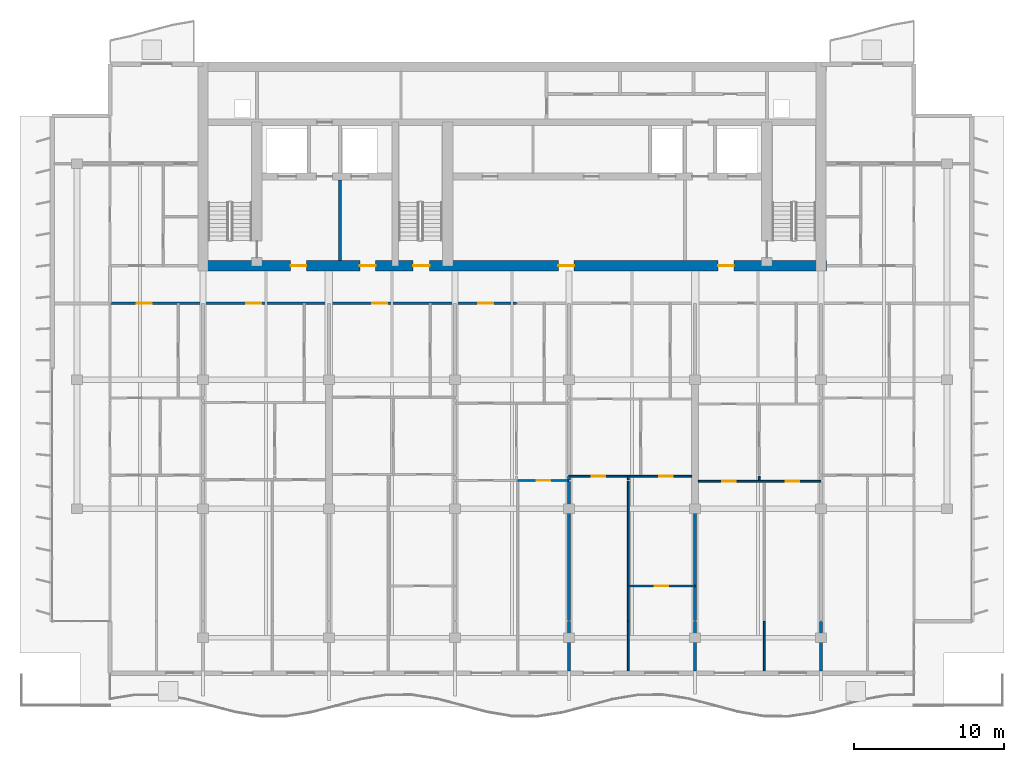
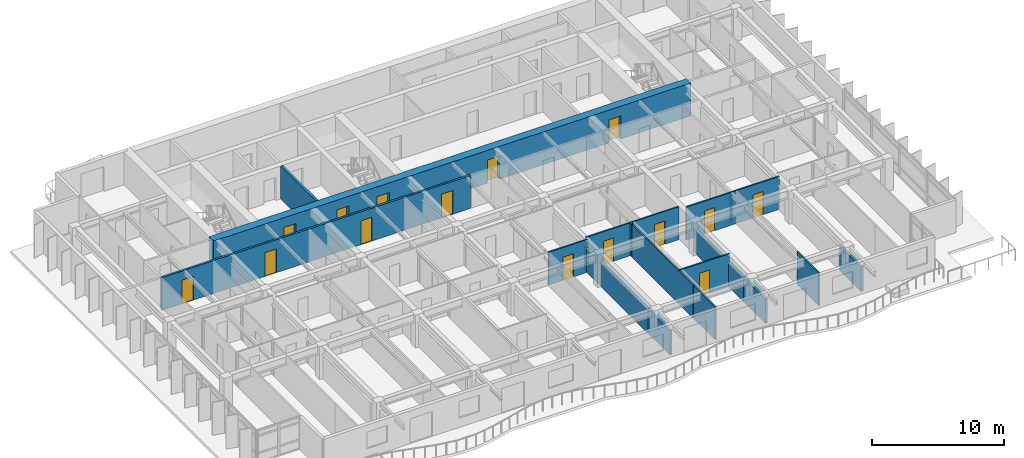
# One storey, part 8 of 17: 18 walls, 15 doors, 15 openings.
"""IFC4 building model written with IfcOpenShell, lengths in metres."""

from ifc_helpers import new_model, si_unit, direction, frame, frame_2d, origin, place, context, subcontext, project, spatial, rectangle, extrude, material, layer, layer_set, type_object, element, fill, save


model = new_model("IFC4")

# Units and contexts
model_context = context("Model", 3, precision=1e-05, world=origin(), true_north=direction((0.0, 1.0)))
body_context = subcontext(model_context, "Body", "Model", "MODEL_VIEW")
ifc_project = project(units=[si_unit("LENGTHUNIT", "METRE"), si_unit("AREAUNIT", "SQUARE_METRE"), si_unit("VOLUMEUNIT", "CUBIC_METRE"), si_unit("PLANEANGLEUNIT", "RADIAN"), si_unit("MASSUNIT", "GRAM", prefix="KILO")], contexts=[model_context])

# Site, building, storey
site_placement = place(None, origin())
site = spatial("IfcSite", under=ifc_project, at=site_placement, CompositionType="ELEMENT")
building_placement = place(site_placement, origin())
building = spatial("IfcBuilding", under=site, at=building_placement, Name="Caelmar Bay Residences", CompositionType="ELEMENT")
storey_placement = place(building_placement, frame((0.0, 0.0, 226.5)))
storey = spatial("IfcBuildingStorey", under=building, at=storey_placement, Name="L63", CompositionType="ELEMENT", Elevation=226.5)

# Wall, openings, doors
ifc_material_1 = material(Name="Concrete f'c 55 MPa (8,000 psi)", Category="concrete")
ifc_layer_1 = layer(ifc_material_1, 0.699951171875)
ifc_layer_set_1 = layer_set([ifc_layer_1], Name="Concrete f'c 55 MPa (8,000 psi)")
wall_type_1 = type_object("IfcWallType", Name="SW-COR-700", PredefinedType="SHEAR", material=ifc_layer_set_1)
wall_1_placement = place(storey_placement, frame((17.949951171875, 37.0, 0.0), z_axis=(0.0, 0.0, 1.0), x_axis=(1.0, 0.0, 0.0)))
wall_1 = element("IfcWall", 1, at=wall_1_placement, inside=storey, type_object=wall_type_1, Name="L63 Rear Core South Shear Wall", PredefinedType="SHEAR", context=body_context, shape_type="SweptSolid", body=[
    extrude(rectangle(XDim=41.900146484375, YDim=0.699951171875, at=frame_2d((20.9501953125, 0.0))), origin(), (0.0, 0.0, 1.0), 3.050048828125),
])
opening_1_placement = place(wall_1_placement, frame((14.35009765625, 0.0, 0.0)))
opening_1 = element("IfcOpeningElement", 2, at=opening_1_placement, cuts=wall_1, Name="Opening D-L63-105", PredefinedType="OPENING", context=body_context, shape_type="SweptSolid", body=[
    extrude(rectangle(XDim=1.10009765625, YDim=2.14990234375, at=frame_2d((0.550048828125, 1.074951171875))), frame((0.0, 0.35986328125, 0.0), z_axis=(0.0, -1.0, 0.0), x_axis=(1.0, 0.0, 0.0)), (0.0, 0.0, 1.0), 0.719970703125),
])
opening_2_placement = place(wall_1_placement, frame((6.199951171875, 0.0, 0.0)))
opening_2 = element("IfcOpeningElement", 3, at=opening_2_placement, cuts=wall_1, Name="Opening D-L63-106", PredefinedType="OPENING", context=body_context, shape_type="SweptSolid", body=[
    extrude(rectangle(XDim=1.050048828125, YDim=2.14990234375, at=frame_2d((0.52490234375, 1.074951171875))), frame((0.0, 0.35986328125, 0.0), z_axis=(0.0, -1.0, 0.0), x_axis=(1.0, 0.0, 0.0)), (0.0, 0.0, 1.0), 0.719970703125),
])
opening_3_placement = place(wall_1_placement, frame((34.699951171875, 0.0, 0.0)))
opening_3 = element("IfcOpeningElement", 4, at=opening_3_placement, cuts=wall_1, Name="Opening D-L63-109", PredefinedType="OPENING", context=body_context, shape_type="SweptSolid", body=[
    extrude(rectangle(XDim=1.050048828125, YDim=2.14990234375, at=frame_2d((0.52490234375, 1.074951171875))), frame((0.0, 0.35986328125, 0.0), z_axis=(0.0, -1.0, 0.0), x_axis=(1.0, 0.0, 0.0)), (0.0, 0.0, 1.0), 0.719970703125),
])
opening_4_placement = place(wall_1_placement, frame((10.8125, 0.0, 0.0)))
opening_4 = element("IfcOpeningElement", 5, at=opening_4_placement, cuts=wall_1, Name="Opening D-L63-112", PredefinedType="OPENING", context=body_context, shape_type="SweptSolid", body=[
    extrude(rectangle(XDim=1.050048828125, YDim=2.14990234375, at=frame_2d((0.52490234375, 1.074951171875))), frame((0.0, 0.35986328125, 0.0), z_axis=(0.0, -1.0, 0.0), x_axis=(1.0, 0.0, 0.0)), (0.0, 0.0, 1.0), 0.719970703125),
])
opening_5_placement = place(wall_1_placement, frame((24.050048828125, 0.0, 0.0)))
opening_5 = element("IfcOpeningElement", 6, at=opening_5_placement, cuts=wall_1, Name="Opening D-L63-113", PredefinedType="OPENING", context=body_context, shape_type="SweptSolid", body=[
    extrude(rectangle(XDim=1.050048828125, YDim=2.14990234375, at=frame_2d((0.52490234375, 1.074951171875))), frame((0.0, 0.35986328125, 0.0), z_axis=(0.0, -1.0, 0.0), x_axis=(1.0, 0.0, 0.0)), (0.0, 0.0, 1.0), 0.719970703125),
])
ifc_material_2 = material(Name="Fire-rated steel and walnut architectural door assembly", Category="steel")
ifc_layer_2 = layer(ifc_material_2, 0.050048828125)
ifc_layer_set_2 = layer_set([ifc_layer_2], Name="Fire-rated steel and walnut architectural door assembly")
door_type_1 = type_object("IfcDoorType", Name="D-FSAE-1050", OperationType="NOTDEFINED", PredefinedType="DOOR", material=ifc_layer_set_2)
door_1_placement = place(opening_2_placement, origin())
door_1 = element("IfcDoor", 7, at=door_1_placement, inside=storey, type_object=door_type_1, Name="L63 Firefighting Lobby West Door", OperationType="SINGLE_SWING_LEFT", OverallHeight=2.14990234375, OverallWidth=1.050048828125, PredefinedType="DOOR", context=body_context, shape_type="SweptSolid", body=[
    extrude(rectangle(XDim=1.050048828125, YDim=2.14990234375, at=frame_2d((0.52490234375, 1.074951171875))), frame((0.0, 0.02490234375, 0.0), z_axis=(0.0, -1.0, 0.0), x_axis=(1.0, 0.0, 0.0)), (0.0, 0.0, 1.0), 0.050048828125),
])
fill(opening_2, door_1)
door_2_placement = place(opening_3_placement, origin())
door_2 = element("IfcDoor", 8, at=door_2_placement, inside=storey, type_object=door_type_1, Name="L63 Firefighting Lobby East Door", OperationType="SINGLE_SWING_RIGHT", OverallHeight=2.14990234375, OverallWidth=1.050048828125, PredefinedType="DOOR", context=body_context, shape_type="SweptSolid", body=[
    extrude(rectangle(XDim=1.050048828125, YDim=2.14990234375, at=frame_2d((0.52490234375, 1.074951171875))), frame((0.0, 0.02490234375, 0.0), z_axis=(0.0, -1.0, 0.0), x_axis=(1.0, 0.0, 0.0)), (0.0, 0.0, 1.0), 0.050048828125),
])
fill(opening_3, door_2)
door_3_placement = place(opening_4_placement, origin())
door_3 = element("IfcDoor", 9, at=door_3_placement, inside=storey, type_object=door_type_1, Name="L63 West Lift Lobby Door", OperationType="SINGLE_SWING_LEFT", OverallHeight=2.14990234375, OverallWidth=1.050048828125, PredefinedType="DOOR", context=body_context, shape_type="SweptSolid", body=[
    extrude(rectangle(XDim=1.050048828125, YDim=2.14990234375, at=frame_2d((0.52490234375, 1.074951171875))), frame((0.0, 0.02490234375, 0.0), z_axis=(0.0, -1.0, 0.0), x_axis=(1.0, 0.0, 0.0)), (0.0, 0.0, 1.0), 0.050048828125),
])
fill(opening_4, door_3)
door_4_placement = place(opening_5_placement, origin())
door_4 = element("IfcDoor", 10, at=door_4_placement, inside=storey, type_object=door_type_1, Name="L63 Passenger Lift Lobby Door", OperationType="SINGLE_SWING_RIGHT", OverallHeight=2.14990234375, OverallWidth=1.050048828125, PredefinedType="DOOR", context=body_context, shape_type="SweptSolid", body=[
    extrude(rectangle(XDim=1.050048828125, YDim=2.14990234375, at=frame_2d((0.52490234375, 1.074951171875))), frame((0.0, 0.02490234375, 0.0), z_axis=(0.0, -1.0, 0.0), x_axis=(1.0, 0.0, 0.0)), (0.0, 0.0, 1.0), 0.050048828125),
])
fill(opening_5, door_4)
ifc_layer_3 = layer(ifc_material_2, 0.050048828125)
ifc_layer_set_3 = layer_set([ifc_layer_3], Name="Fire-rated steel and walnut architectural door assembly")
door_type_2 = type_object("IfcDoorType", Name="D-STAIR-1100", OperationType="NOTDEFINED", PredefinedType="DOOR", material=ifc_layer_set_3)
door_5_placement = place(opening_1_placement, origin())
door_5 = element("IfcDoor", 11, at=door_5_placement, inside=storey, type_object=door_type_2, Name="L63 Exit Stair ST3 Door", OperationType="SINGLE_SWING_RIGHT", OverallHeight=2.14990234375, OverallWidth=1.10009765625, PredefinedType="DOOR", context=body_context, shape_type="SweptSolid", body=[
    extrude(rectangle(XDim=1.10009765625, YDim=2.14990234375, at=frame_2d((0.550048828125, 1.074951171875))), frame((0.0, 0.02490234375, 0.0), z_axis=(0.0, -1.0, 0.0), x_axis=(1.0, 0.0, 0.0)), (0.0, 0.0, 1.0), 0.050048828125),
])
fill(opening_1, door_5)

ifc_material_3 = material(Name="Double-stud acoustic fire-rated gypsum partition 180 mm")
ifc_layer_4 = layer(ifc_material_3, 0.179931640625)
ifc_layer_set_4 = layer_set([ifc_layer_4], Name="Double-stud acoustic fire-rated gypsum partition 180 mm")
wall_type_2 = type_object("IfcWallType", Name="W-COR-200", PredefinedType="PARTITIONING", material=ifc_layer_set_4)
wall_2_placement = place(storey_placement, frame((12.10498046875, 34.5, 0.0), z_axis=(0.0, 0.0, 1.0), x_axis=(1.0, 0.0, 0.0)))
wall_2 = element("IfcWall", 12, at=wall_2_placement, inside=storey, type_object=wall_type_2, Name="L63 Partition Wall H120", PredefinedType="PARTITIONING", context=body_context, shape_type="SweptSolid", body=[
    extrude(rectangle(XDim=27.09912109375, YDim=0.179931640625, at=frame_2d((13.549560546875, 0.0))), origin(), (0.0, 0.0, 1.0), 3.050048828125),
])
opening_6_placement = place(wall_2_placement, frame((1.7724609375, 0.0, 0.0)))
opening_6 = element("IfcOpeningElement", 13, at=opening_6_placement, cuts=wall_2, Name="Opening D-L63-122", PredefinedType="OPENING", context=body_context, shape_type="SweptSolid", body=[
    extrude(rectangle(XDim=1.0, YDim=2.199951171875, at=frame_2d((0.5, 1.10009765625))), frame((0.0, 0.099853515625, 0.0), z_axis=(0.0, -1.0, 0.0), x_axis=(1.0, 0.0, 0.0)), (0.0, 0.0, 1.0), 0.199951171875),
])
opening_7_placement = place(wall_2_placement, frame((9.070068359375, 0.0, 0.0)))
opening_7 = element("IfcOpeningElement", 14, at=opening_7_placement, cuts=wall_2, Name="Opening D-L63-128", PredefinedType="OPENING", context=body_context, shape_type="SweptSolid", body=[
    extrude(rectangle(XDim=1.0, YDim=2.199951171875, at=frame_2d((0.5, 1.10009765625))), frame((0.0, 0.099853515625, 0.0), z_axis=(0.0, -1.0, 0.0), x_axis=(1.0, 0.0, 0.0)), (0.0, 0.0, 1.0), 0.199951171875),
])
opening_8_placement = place(wall_2_placement, frame((17.469970703125, 0.0, 0.0)))
opening_8 = element("IfcOpeningElement", 15, at=opening_8_placement, cuts=wall_2, Name="Opening D-L63-134", PredefinedType="OPENING", context=body_context, shape_type="SweptSolid", body=[
    extrude(rectangle(XDim=1.0, YDim=2.199951171875, at=frame_2d((0.5, 1.10009765625))), frame((0.0, 0.099853515625, 0.0), z_axis=(0.0, -1.0, 0.0), x_axis=(1.0, 0.0, 0.0)), (0.0, 0.0, 1.0), 0.199951171875),
])
opening_9_placement = place(wall_2_placement, frame((24.547119140625, 0.0, 0.0)))
opening_9 = element("IfcOpeningElement", 16, at=opening_9_placement, cuts=wall_2, Name="Opening D-L63-141", PredefinedType="OPENING", context=body_context, shape_type="SweptSolid", body=[
    extrude(rectangle(XDim=1.0, YDim=2.199951171875, at=frame_2d((0.5, 1.10009765625))), frame((0.0, 0.099853515625, 0.0), z_axis=(0.0, -1.0, 0.0), x_axis=(1.0, 0.0, 0.0)), (0.0, 0.0, 1.0), 0.199951171875),
])
ifc_layer_5 = layer(ifc_material_2, 0.050048828125)
ifc_layer_set_5 = layer_set([ifc_layer_5], Name="Fire-rated steel and walnut architectural door assembly")
door_type_3 = type_object("IfcDoorType", Name="D-UNIT-1000", OperationType="NOTDEFINED", PredefinedType="DOOR", material=ifc_layer_set_5)
door_6_placement = place(opening_6_placement, origin())
door_6 = element("IfcDoor", 17, at=door_6_placement, inside=storey, type_object=door_type_3, Name="L63 Residence 01 Apartment Hall Door", OperationType="SINGLE_SWING_LEFT", OverallHeight=2.199951171875, OverallWidth=1.0, PredefinedType="DOOR", context=body_context, shape_type="SweptSolid", body=[
    extrude(rectangle(XDim=1.0, YDim=2.199951171875, at=frame_2d((0.5, 1.10009765625))), frame((0.0, 0.02490234375, 0.0), z_axis=(0.0, -1.0, 0.0), x_axis=(1.0, 0.0, 0.0)), (0.0, 0.0, 1.0), 0.050048828125),
])
fill(opening_6, door_6)
door_7_placement = place(opening_7_placement, origin())
door_7 = element("IfcDoor", 18, at=door_7_placement, inside=storey, type_object=door_type_3, Name="L63 Residence 02 Apartment Hall Door", OperationType="SINGLE_SWING_LEFT", OverallHeight=2.199951171875, OverallWidth=1.0, PredefinedType="DOOR", context=body_context, shape_type="SweptSolid", body=[
    extrude(rectangle(XDim=1.0, YDim=2.199951171875, at=frame_2d((0.5, 1.10009765625))), frame((0.0, 0.02490234375, 0.0), z_axis=(0.0, -1.0, 0.0), x_axis=(1.0, 0.0, 0.0)), (0.0, 0.0, 1.0), 0.050048828125),
])
fill(opening_7, door_7)
door_8_placement = place(opening_8_placement, origin())
door_8 = element("IfcDoor", 19, at=door_8_placement, inside=storey, type_object=door_type_3, Name="L63 Residence 03 Apartment Hall Door", OperationType="SINGLE_SWING_LEFT", OverallHeight=2.199951171875, OverallWidth=1.0, PredefinedType="DOOR", context=body_context, shape_type="SweptSolid", body=[
    extrude(rectangle(XDim=1.0, YDim=2.199951171875, at=frame_2d((0.5, 1.10009765625))), frame((0.0, 0.02490234375, 0.0), z_axis=(0.0, -1.0, 0.0), x_axis=(1.0, 0.0, 0.0)), (0.0, 0.0, 1.0), 0.050048828125),
])
fill(opening_8, door_8)
door_9_placement = place(opening_9_placement, origin())
door_9 = element("IfcDoor", 20, at=door_9_placement, inside=storey, type_object=door_type_3, Name="L63 Residence 04 Apartment Hall Door", OperationType="SINGLE_SWING_RIGHT", OverallHeight=2.199951171875, OverallWidth=1.0, PredefinedType="DOOR", context=body_context, shape_type="SweptSolid", body=[
    extrude(rectangle(XDim=1.0, YDim=2.199951171875, at=frame_2d((0.5, 1.10009765625))), frame((0.0, 0.02490234375, 0.0), z_axis=(0.0, -1.0, 0.0), x_axis=(1.0, 0.0, 0.0)), (0.0, 0.0, 1.0), 0.050048828125),
])
fill(opening_9, door_9)

# Walls
ifc_material_4 = material(Name="Fire-rated masonry and gypsum shaftliner assembly 200 mm", Category="masonry")
ifc_layer_6 = layer(ifc_material_4, 0.199951171875)
ifc_layer_set_6 = layer_set([ifc_layer_6], Name="Fire-rated masonry and gypsum shaftliner assembly 200 mm")
wall_type_3 = type_object("IfcWallType", Name="W-FSAE-200", PredefinedType="PARTITIONING", material=ifc_layer_set_6)
wall_3_placement = place(storey_placement, frame((27.449951171875, 37.344970703125, 0.0), z_axis=(0.0, 0.0, 1.0), x_axis=(0.0, 1.0, 0.0)))
element("IfcWall", 21, at=wall_3_placement, inside=storey, type_object=wall_type_3, Name="L63 Partition Wall V032", PredefinedType="PARTITIONING", context=body_context, shape_type="SweptSolid", body=[
    extrude(rectangle(XDim=5.385009765625, YDim=0.199951171875, at=frame_2d((2.6923828125, 0.0))), origin(), (0.0, 0.0, 1.0), 3.050048828125),
])
ifc_material_5 = material(Name="Acoustic metal-stud gypsum partition 120 mm")
ifc_layer_7 = layer(ifc_material_5, 0.1201171875)
ifc_layer_set_7 = layer_set([ifc_layer_7], Name="Acoustic metal-stud gypsum partition 120 mm")
wall_type_4 = type_object("IfcWallType", Name="W-PRT-120", PredefinedType="PARTITIONING", material=ifc_layer_set_7)
wall_4_placement = place(storey_placement, frame((46.64794921875, 9.9951171875, 0.0), z_axis=(0.0, 0.0, 1.0), x_axis=(0.0, 1.0, 0.0)))
element("IfcWall", 22, at=wall_4_placement, inside=storey, type_object=wall_type_4, Name="L63 Partition Wall V062", PredefinedType="PARTITIONING", context=body_context, shape_type="SweptSolid", body=[
    extrude(rectangle(XDim=3.304931640625, YDim=0.1201171875, at=frame_2d((1.65234375, 0.0))), origin(), (0.0, 0.0, 1.0), 3.050048828125),
])
wall_5_placement = place(storey_placement, frame((46.64794921875, 13.340087890625, 0.0), z_axis=(0.0, 0.0, 1.0), x_axis=(0.0, 1.0, 0.0)))
element("IfcWall", 23, at=wall_5_placement, inside=storey, type_object=wall_type_4, Name="L63 Partition Wall V063", PredefinedType="PARTITIONING", context=body_context, shape_type="SweptSolid", body=[
    extrude(rectangle(XDim=9.289794921875, YDim=0.1201171875, at=frame_2d((4.64501953125, 0.0))), origin(), (0.0, 0.0, 1.0), 3.050048828125),
])
wall_6_placement = place(storey_placement, frame((46.64794921875, 22.72998046875, 0.0), z_axis=(0.0, 0.0, 1.0), x_axis=(0.0, 1.0, 0.0)))
element("IfcWall", 24, at=wall_6_placement, inside=storey, type_object=wall_type_4, Name="L63 Partition Wall V064", PredefinedType="PARTITIONING", context=body_context, shape_type="SweptSolid", body=[
    extrude(rectangle(XDim=0.239990234375, YDim=0.1201171875, at=frame_2d((0.1201171875, 0.0))), origin(), (0.0, 0.0, 1.0), 3.050048828125),
])
wall_7_placement = place(storey_placement, frame((55.385986328125, 22.72998046875, 0.0), z_axis=(0.0, 0.0, 1.0), x_axis=(0.0, 1.0, 0.0)))
element("IfcWall", 25, at=wall_7_placement, inside=storey, type_object=wall_type_4, Name="L63 Partition Wall V076", PredefinedType="PARTITIONING", context=body_context, shape_type="SweptSolid", body=[
    extrude(rectangle(XDim=0.239990234375, YDim=0.1201171875, at=frame_2d((0.1201171875, 0.0))), origin(), (0.0, 0.0, 1.0), 2.62890625),
])
wall_8_placement = place(storey_placement, frame((55.719970703125, 9.9951171875, 0.0), z_axis=(0.0, 0.0, 1.0), x_axis=(0.0, 1.0, 0.0)))
element("IfcWall", 26, at=wall_8_placement, inside=storey, type_object=wall_type_4, Name="L63 Partition Wall V078", PredefinedType="PARTITIONING", context=body_context, shape_type="SweptSolid", body=[
    extrude(rectangle(XDim=3.304931640625, YDim=0.1201171875, at=frame_2d((1.65234375, 0.0))), origin(), (0.0, 0.0, 1.0), 3.050048828125),
])

# Wall, opening, door
wall_9_placement = place(storey_placement, frame((46.64794921875, 15.64990234375, 0.0), z_axis=(0.0, 0.0, 1.0), x_axis=(1.0, 0.0, 0.0)))
wall_9 = element("IfcWall", 27, at=wall_9_placement, inside=storey, type_object=wall_type_4, Name="L63 Partition Wall H102", PredefinedType="PARTITIONING", context=body_context, shape_type="SweptSolid", body=[
    extrude(rectangle(XDim=4.4521484375, YDim=0.1201171875, at=frame_2d((2.22607421875, 0.0))), origin(), (0.0, 0.0, 1.0), 3.050048828125),
])
opening_10_placement = place(wall_9_placement, frame((1.77587890625, 0.0, 0.0)))
opening_10 = element("IfcOpeningElement", 28, at=opening_10_placement, cuts=wall_9, Name="Opening D-L63-153", PredefinedType="OPENING", context=body_context, shape_type="SweptSolid", body=[
    extrude(rectangle(XDim=0.89990234375, YDim=2.14990234375, at=frame_2d((0.449951171875, 1.074951171875))), frame((0.0, 0.070068359375, 0.0), z_axis=(0.0, -1.0, 0.0), x_axis=(1.0, 0.0, 0.0)), (0.0, 0.0, 1.0), 0.14013671875),
])
ifc_material_6 = material(Name="Solid walnut timber interior door leaf and frame", Category="wood")
ifc_layer_8 = layer(ifc_material_6, 0.050048828125)
ifc_layer_set_8 = layer_set([ifc_layer_8], Name="Solid walnut timber interior door leaf and frame")
door_type_4 = type_object("IfcDoorType", Name="D-ROOM-900", OperationType="NOTDEFINED", PredefinedType="DOOR", material=ifc_layer_set_8)
door_10_placement = place(opening_10_placement, origin())
door_10 = element("IfcDoor", 29, at=door_10_placement, inside=storey, type_object=door_type_4, Name="L63 Residence 05 Primary Bedroom Door", OperationType="SINGLE_SWING_RIGHT", OverallHeight=2.14990234375, OverallWidth=0.89990234375, PredefinedType="DOOR", context=body_context, shape_type="SweptSolid", body=[
    extrude(rectangle(XDim=0.89990234375, YDim=2.14990234375, at=frame_2d((0.449951171875, 1.074951171875))), frame((0.0, 0.02490234375, 0.0), z_axis=(0.0, -1.0, 0.0), x_axis=(1.0, 0.0, 0.0)), (0.0, 0.0, 1.0), 0.050048828125),
])
fill(opening_10, door_10)

# Wall, openings, doors
wall_10_placement = place(storey_placement, frame((51.320068359375, 22.6298828125, 0.0), z_axis=(0.0, 0.0, 1.0), x_axis=(1.0, 0.0, 0.0)))
wall_10 = element("IfcWall", 30, at=wall_10_placement, inside=storey, type_object=wall_type_4, Name="L63 Partition Wall H103", PredefinedType="PARTITIONING", context=body_context, shape_type="SweptSolid", body=[
    extrude(rectangle(XDim=8.179931640625, YDim=0.1201171875, at=frame_2d((4.08984375, 0.0))), origin(), (0.0, 0.0, 1.0), 3.050048828125),
])
opening_11_placement = place(wall_10_placement, frame((1.5830078125, 0.0, 0.0)))
opening_11 = element("IfcOpeningElement", 31, at=opening_11_placement, cuts=wall_10, Name="Opening D-L63-158", PredefinedType="OPENING", context=body_context, shape_type="SweptSolid", body=[
    extrude(rectangle(XDim=0.89990234375, YDim=2.14990234375, at=frame_2d((0.449951171875, 1.074951171875))), frame((0.0, 0.070068359375, 0.0), z_axis=(0.0, -1.0, 0.0), x_axis=(1.0, 0.0, 0.0)), (0.0, 0.0, 1.0), 0.14013671875),
])
opening_12_placement = place(wall_10_placement, frame((5.840087890625, 0.0, 0.0)))
opening_12 = element("IfcOpeningElement", 32, at=opening_12_placement, cuts=wall_10, Name="Opening D-L63-159", PredefinedType="OPENING", context=body_context, shape_type="SweptSolid", body=[
    extrude(rectangle(XDim=0.89990234375, YDim=2.14990234375, at=frame_2d((0.449951171875, 1.074951171875))), frame((0.0, 0.070068359375, 0.0), z_axis=(0.0, -1.0, 0.0), x_axis=(1.0, 0.0, 0.0)), (0.0, 0.0, 1.0), 0.14013671875),
])
door_11_placement = place(opening_11_placement, origin())
door_11 = element("IfcDoor", 33, at=door_11_placement, inside=storey, type_object=door_type_4, Name="L63 Residence 06 Living Room Door", OperationType="SINGLE_SWING_LEFT", OverallHeight=2.14990234375, OverallWidth=0.89990234375, PredefinedType="DOOR", context=body_context, shape_type="SweptSolid", body=[
    extrude(rectangle(XDim=0.89990234375, YDim=2.14990234375, at=frame_2d((0.449951171875, 1.074951171875))), frame((0.0, 0.02490234375, 0.0), z_axis=(0.0, -1.0, 0.0), x_axis=(1.0, 0.0, 0.0)), (0.0, 0.0, 1.0), 0.050048828125),
])
fill(opening_11, door_11)
door_12_placement = place(opening_12_placement, origin())
door_12 = element("IfcDoor", 34, at=door_12_placement, inside=storey, type_object=door_type_4, Name="L63 Residence 06 Primary Bedroom Door", OperationType="SINGLE_SWING_RIGHT", OverallHeight=2.14990234375, OverallWidth=0.89990234375, PredefinedType="DOOR", context=body_context, shape_type="SweptSolid", body=[
    extrude(rectangle(XDim=0.89990234375, YDim=2.14990234375, at=frame_2d((0.449951171875, 1.074951171875))), frame((0.0, 0.02490234375, 0.0), z_axis=(0.0, -1.0, 0.0), x_axis=(1.0, 0.0, 0.0)), (0.0, 0.0, 1.0), 0.050048828125),
])
fill(opening_12, door_12)

# Wall, opening, door
wall_11_placement = place(storey_placement, frame((39.280029296875, 22.68994140625, 0.0), z_axis=(0.0, 0.0, 1.0), x_axis=(1.0, 0.0, 0.0)))
wall_11 = element("IfcWall", 35, at=wall_11_placement, inside=storey, type_object=wall_type_4, Name="L63 Partition Wall H105", PredefinedType="PARTITIONING", context=body_context, shape_type="SweptSolid", body=[
    extrude(rectangle(XDim=3.419921875, YDim=0.1201171875, at=frame_2d((1.7099609375, 0.0))), origin(), (0.0, 0.0, 1.0), 3.050048828125),
])
opening_13_placement = place(wall_11_placement, frame((1.260009765625, 0.0, 0.0)))
opening_13 = element("IfcOpeningElement", 36, at=opening_13_placement, cuts=wall_11, Name="Opening D-L63-146", PredefinedType="OPENING", context=body_context, shape_type="SweptSolid", body=[
    extrude(rectangle(XDim=0.89990234375, YDim=2.14990234375, at=frame_2d((0.449951171875, 1.074951171875))), frame((0.0, 0.070068359375, 0.0), z_axis=(0.0, -1.0, 0.0), x_axis=(1.0, 0.0, 0.0)), (0.0, 0.0, 1.0), 0.14013671875),
])
door_13_placement = place(opening_13_placement, origin())
door_13 = element("IfcDoor", 37, at=door_13_placement, inside=storey, type_object=door_type_4, Name="L63 Residence 04 Primary Bedroom Door", OperationType="SINGLE_SWING_LEFT", OverallHeight=2.14990234375, OverallWidth=0.89990234375, PredefinedType="DOOR", context=body_context, shape_type="SweptSolid", body=[
    extrude(rectangle(XDim=0.89990234375, YDim=2.14990234375, at=frame_2d((0.449951171875, 1.074951171875))), frame((0.0, 0.02490234375, 0.0), z_axis=(0.0, -1.0, 0.0), x_axis=(1.0, 0.0, 0.0)), (0.0, 0.0, 1.0), 0.050048828125),
])
fill(opening_13, door_13)

# Wall, openings, doors
wall_12_placement = place(storey_placement, frame((42.699951171875, 22.969970703125, 0.0), z_axis=(0.0, 0.0, 1.0), x_axis=(1.0, 0.0, 0.0)))
wall_12 = element("IfcWall", 38, at=wall_12_placement, inside=storey, type_object=wall_type_4, Name="L63 Partition Wall H107", PredefinedType="PARTITIONING", context=body_context, shape_type="SweptSolid", body=[
    extrude(rectangle(XDim=8.179931640625, YDim=0.1201171875, at=frame_2d((4.08984375, 0.0))), origin(), (0.0, 0.0, 1.0), 3.050048828125),
])
opening_14_placement = place(wall_12_placement, frame((1.52392578125, 0.0, 0.0)))
opening_14 = element("IfcOpeningElement", 39, at=opening_14_placement, cuts=wall_12, Name="Opening D-L63-151", PredefinedType="OPENING", context=body_context, shape_type="SweptSolid", body=[
    extrude(rectangle(XDim=0.89990234375, YDim=2.14990234375, at=frame_2d((0.449951171875, 1.074951171875))), frame((0.0, 0.070068359375, 0.0), z_axis=(0.0, -1.0, 0.0), x_axis=(1.0, 0.0, 0.0)), (0.0, 0.0, 1.0), 0.14013671875),
])
opening_15_placement = place(wall_12_placement, frame((6.032958984375, 0.0, 0.0)))
opening_15 = element("IfcOpeningElement", 40, at=opening_15_placement, cuts=wall_12, Name="Opening D-L63-152", PredefinedType="OPENING", context=body_context, shape_type="SweptSolid", body=[
    extrude(rectangle(XDim=0.89990234375, YDim=2.14990234375, at=frame_2d((0.449951171875, 1.074951171875))), frame((0.0, 0.070068359375, 0.0), z_axis=(0.0, -1.0, 0.0), x_axis=(1.0, 0.0, 0.0)), (0.0, 0.0, 1.0), 0.14013671875),
])
door_14_placement = place(opening_14_placement, origin())
door_14 = element("IfcDoor", 41, at=door_14_placement, inside=storey, type_object=door_type_4, Name="L63 Residence 05 Living Room Door", OperationType="SINGLE_SWING_RIGHT", OverallHeight=2.14990234375, OverallWidth=0.89990234375, PredefinedType="DOOR", context=body_context, shape_type="SweptSolid", body=[
    extrude(rectangle(XDim=0.89990234375, YDim=2.14990234375, at=frame_2d((0.449951171875, 1.074951171875))), frame((0.0, 0.02490234375, 0.0), z_axis=(0.0, -1.0, 0.0), x_axis=(1.0, 0.0, 0.0)), (0.0, 0.0, 1.0), 0.050048828125),
])
fill(opening_14, door_14)
door_15_placement = place(opening_15_placement, origin())
door_15 = element("IfcDoor", 42, at=door_15_placement, inside=storey, type_object=door_type_4, Name="L63 Residence 05 Bedroom 2 Door", OperationType="SINGLE_SWING_LEFT", OverallHeight=2.14990234375, OverallWidth=0.89990234375, PredefinedType="DOOR", context=body_context, shape_type="SweptSolid", body=[
    extrude(rectangle(XDim=0.89990234375, YDim=2.14990234375, at=frame_2d((0.449951171875, 1.074951171875))), frame((0.0, 0.02490234375, 0.0), z_axis=(0.0, -1.0, 0.0), x_axis=(1.0, 0.0, 0.0)), (0.0, 0.0, 1.0), 0.050048828125),
])
fill(opening_15, door_15)

# Walls
ifc_material_7 = material(Name="Acoustic twin-stud fire-rated inter-tenancy partition 200 mm")
ifc_layer_9 = layer(ifc_material_7, 0.199951171875)
ifc_layer_set_9 = layer_set([ifc_layer_9], Name="Acoustic twin-stud fire-rated inter-tenancy partition 200 mm")
wall_type_5 = type_object("IfcWallType", Name="W-PTY-200", PredefinedType="PARTITIONING", material=ifc_layer_set_9)
wall_13_placement = place(storey_placement, frame((42.699951171875, 9.9951171875, 0.0), z_axis=(0.0, 0.0, 1.0), x_axis=(0.0, 1.0, 0.0)))
element("IfcWall", 43, at=wall_13_placement, inside=storey, type_object=wall_type_5, Name="L63 Partition Wall V055", PredefinedType="PARTITIONING", context=body_context, shape_type="SweptSolid", body=[
    extrude(rectangle(XDim=3.304931640625, YDim=0.199951171875, at=frame_2d((1.65234375, 0.0))), origin(), (0.0, 0.0, 1.0), 2.262939453125),
])
wall_14_placement = place(storey_placement, frame((42.699951171875, 13.340087890625, 0.0), z_axis=(0.0, 0.0, 1.0), x_axis=(0.0, 1.0, 0.0)))
element("IfcWall", 44, at=wall_14_placement, inside=storey, type_object=wall_type_5, Name="L63 Partition Wall V056", PredefinedType="PARTITIONING", context=body_context, shape_type="SweptSolid", body=[
    extrude(rectangle(XDim=9.289794921875, YDim=0.199951171875, at=frame_2d((4.64501953125, 0.0))), origin(), (0.0, 0.0, 1.0), 2.262939453125),
])
wall_15_placement = place(storey_placement, frame((42.699951171875, 22.72998046875, 0.0), z_axis=(0.0, 0.0, 1.0), x_axis=(0.0, 1.0, 0.0)))
element("IfcWall", 45, at=wall_15_placement, inside=storey, type_object=wall_type_5, Name="L63 Partition Wall V057", PredefinedType="PARTITIONING", context=body_context, shape_type="SweptSolid", body=[
    extrude(rectangle(XDim=0.239990234375, YDim=0.199951171875, at=frame_2d((0.1201171875, 0.0))), origin(), (0.0, 0.0, 1.0), 2.262939453125),
])
wall_16_placement = place(storey_placement, frame((51.10009765625, 9.9951171875, 0.0), z_axis=(0.0, 0.0, 1.0), x_axis=(0.0, 1.0, 0.0)))
element("IfcWall", 46, at=wall_16_placement, inside=storey, type_object=wall_type_5, Name="L63 Partition Wall V072", PredefinedType="PARTITIONING", context=body_context, shape_type="SweptSolid", body=[
    extrude(rectangle(XDim=3.304931640625, YDim=0.199951171875, at=frame_2d((1.65234375, 0.0))), origin(), (0.0, 0.0, 1.0), 2.262939453125),
])
wall_17_placement = place(storey_placement, frame((51.10009765625, 13.340087890625, 0.0), z_axis=(0.0, 0.0, 1.0), x_axis=(0.0, 1.0, 0.0)))
element("IfcWall", 47, at=wall_17_placement, inside=storey, type_object=wall_type_5, Name="L63 Partition Wall V073", PredefinedType="PARTITIONING", context=body_context, shape_type="SweptSolid", body=[
    extrude(rectangle(XDim=7.454833984375, YDim=0.199951171875, at=frame_2d((3.7275390625, 0.0))), origin(), (0.0, 0.0, 1.0), 2.262939453125),
])
wall_18_placement = place(storey_placement, frame((59.5, 9.9951171875, 0.0), z_axis=(0.0, 0.0, 1.0), x_axis=(0.0, 1.0, 0.0)))
element("IfcWall", 48, at=wall_18_placement, inside=storey, type_object=wall_type_5, Name="L63 Partition Wall V083", PredefinedType="PARTITIONING", context=body_context, shape_type="SweptSolid", body=[
    extrude(rectangle(XDim=3.304931640625, YDim=0.199951171875, at=frame_2d((1.65234375, 0.0))), origin(), (0.0, 0.0, 1.0), 2.262939453125),
])

save(model, "model.ifc")
